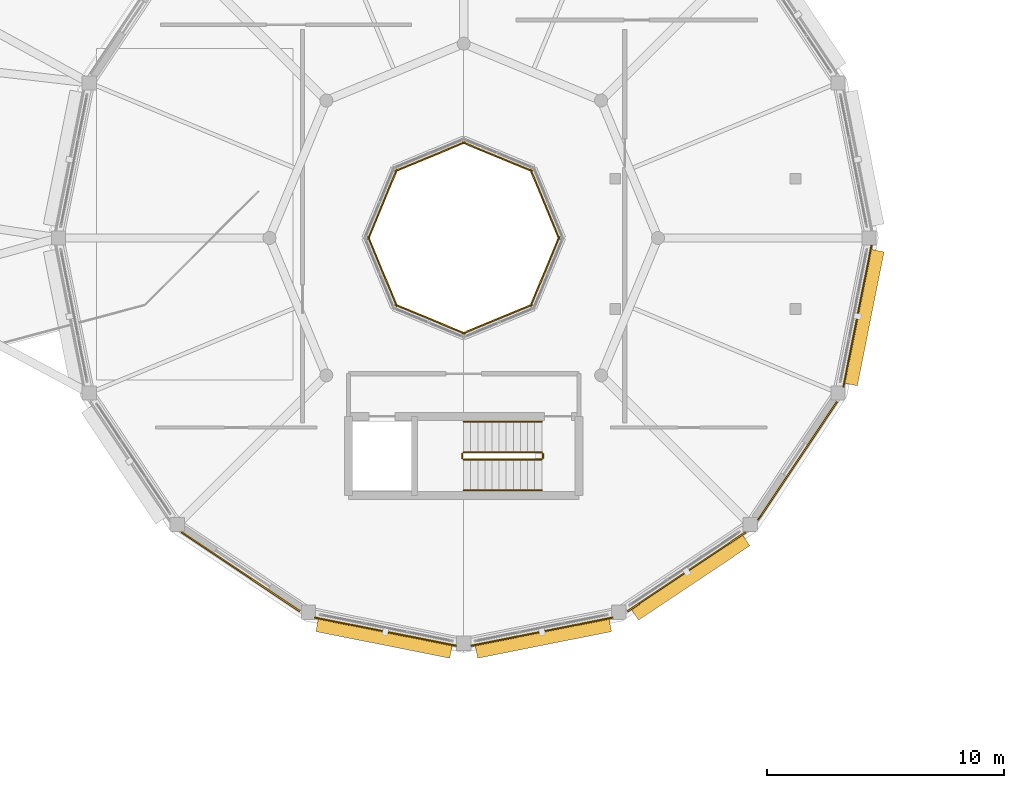
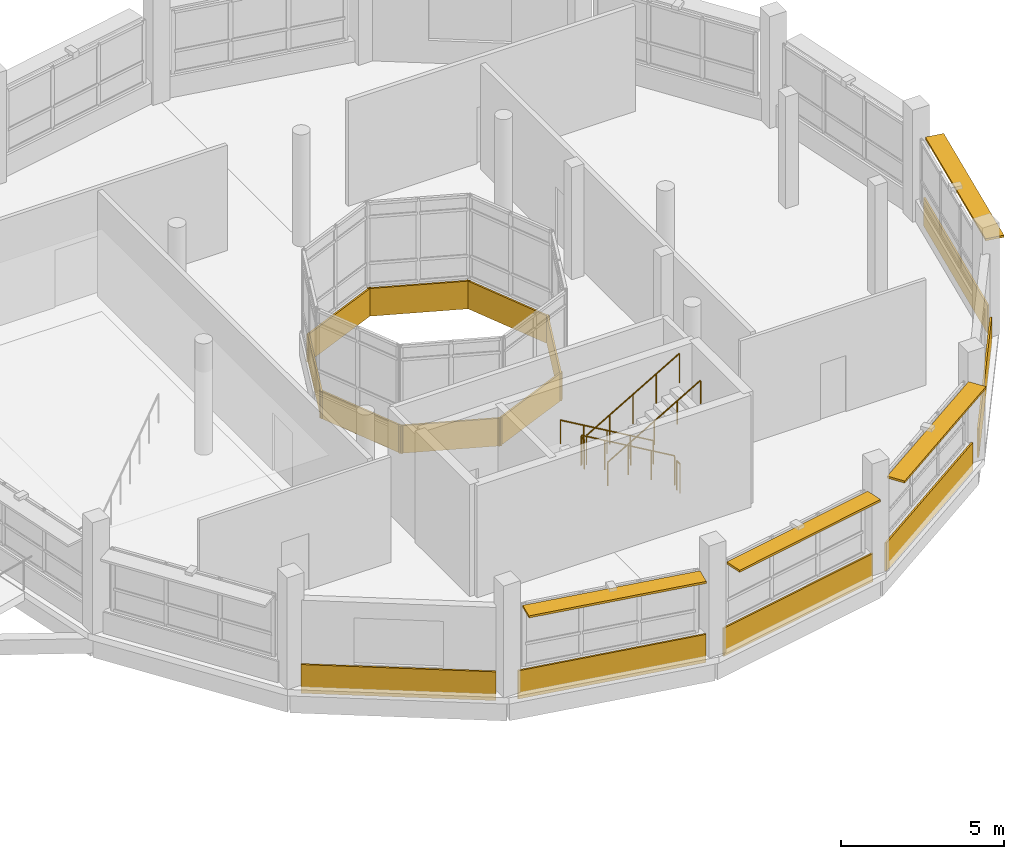
# One storey, part 127 of 128: 14 coverings, 6 railings, 4 shading devices.
"""IFC4 building model written with IfcOpenShell, lengths in metres."""

import ifcopenshell
import ifcopenshell.guid

model = None  # the IFC model being written
_history = None  # IfcOwnerHistory: only IFC2X3 demands one
_inside = {}  # id of a spatial element -> (the spatial element, [elements in it])
_under = {}  # id of a project, library or spatial element -> (it, [spatial elements below it])
_declared = {}  # id of a project -> (the project, [libraries it declares])
_typed = {}  # id of a type object -> (the type object, [elements of that type])
_made_of = {}  # id of a material, layer set ... -> (it, [elements and type objects made of it])


def new_model(schema):
    """Start an empty IFC model of exactly this schema.

    Asked for "IFC4X3", IfcOpenShell would pick the latest addendum, in which some entities
    have other attributes; the version numbers below select the first issue.
    IFC2X3 requires an IfcOwnerHistory on every rooted entity: one is made here for all.
    """
    global model, _history
    if schema == "IFC4X3":
        model = ifcopenshell.file(schema_version=(4, 3, 0, 0))
    else:
        model = ifcopenshell.file(schema=schema)
    _inside.clear()
    _under.clear()
    _declared.clear()
    _typed.clear()
    _made_of.clear()
    _history = None
    if model.schema == "IFC2X3":
        org = make("IfcOrganization", Name="unknown")
        user = make(
            "IfcPersonAndOrganization",
            ThePerson=make("IfcPerson", FamilyName="unknown"),
            TheOrganization=org,
        )
        app = make(
            "IfcApplication",
            ApplicationDeveloper=org,
            Version="unknown",
            ApplicationFullName="unknown",
            ApplicationIdentifier="unknown",
        )
        _history = make(
            "IfcOwnerHistory",
            OwningUser=user,
            OwningApplication=app,
            ChangeAction="ADDED",
            CreationDate=0,
        )
    return model


def make(cls, **values):
    """One entity of the class cls with the attributes given. An attribute that is None is left unset."""
    return model.create_entity(
        cls, **{name: value for name, value in values.items() if value is not None}
    )


def rooted(cls, **values):
    """An entity with a GlobalId (a new one), such as an element, a storey or a relation."""
    return make(cls, GlobalId=ifcopenshell.guid.new(), OwnerHistory=_history, **values)


def si_unit(unit_type, name, prefix=None):
    """IfcSIUnit, for example si_unit("LENGTHUNIT", "METRE", prefix="MILLI")."""
    return make("IfcSIUnit", UnitType=unit_type, Prefix=prefix, Name=name)


def assignment(units):
    """IfcUnitAssignment: the units of a project."""
    return None if units is None else make("IfcUnitAssignment", Units=units)


def point(xyz):
    """IfcCartesianPoint."""
    return None if xyz is None else make("IfcCartesianPoint", Coordinates=xyz)


def direction(xyz):
    """IfcDirection."""
    return None if xyz is None else make("IfcDirection", DirectionRatios=xyz)


def frame(location, z_axis=None, x_axis=None):
    """IfcAxis2Placement3D, a coordinate frame: its origin and axes. An axis left out is left unset."""
    return make(
        "IfcAxis2Placement3D",
        Location=point(location),
        Axis=direction(z_axis),
        RefDirection=direction(x_axis),
    )


def frame_2d(location, x_axis=None):
    """IfcAxis2Placement2D, a coordinate frame in the plane: its origin and x axis."""
    return make(
        "IfcAxis2Placement2D", Location=point(location), RefDirection=direction(x_axis)
    )


def origin():
    """The frame at (0, 0, 0) with its axes left unset."""
    return frame((0.0, 0.0, 0.0))


def origin_2d():
    """The frame at (0, 0) in the plane with its x axis left unset."""
    return frame_2d((0.0, 0.0))


def place(relative_to, where):
    """IfcLocalPlacement: puts the frame where relative to a parent placement (None: the world)."""
    return make(
        "IfcLocalPlacement", PlacementRelTo=relative_to, RelativePlacement=where
    )


def context(
    kind, dimensions, precision=None, world=None, true_north=None, identifier=None
):
    """IfcGeometricRepresentationContext, for example the 3D "Model" context."""
    return make(
        "IfcGeometricRepresentationContext",
        ContextIdentifier=identifier,
        ContextType=kind,
        CoordinateSpaceDimension=dimensions,
        Precision=precision,
        WorldCoordinateSystem=world,
        TrueNorth=true_north,
    )


def subcontext(parent, identifier, kind, view, scale=None):
    """IfcGeometricRepresentationSubContext, for example "Body" below "Model"."""
    return make(
        "IfcGeometricRepresentationSubContext",
        ContextIdentifier=identifier,
        ContextType=kind,
        ParentContext=parent,
        TargetScale=scale,
        TargetView=view,
    )


def project(units=None, contexts=None):
    """IfcProject with its units and contexts."""
    return rooted(
        "IfcProject",
        Name="project",
        RepresentationContexts=contexts,
        UnitsInContext=assignment(units),
    )


def spatial(cls, under=None, at=None, **own):
    """A site, building, storey or space (cls), placed at a placement, below another one or the project."""
    s = rooted(cls, ObjectPlacement=at, **own)
    if under is not None:
        _under.setdefault(under.id(), (under, []))[1].append(s)
    return s


def profile(cls, at=None, kind="AREA", **sizes):
    """A parametric profile (cls). Its sizes go by their IFC names, for example OverallWidth=200.0."""
    return make(cls, ProfileType=kind, Position=at, **sizes)


def rectangle(**sizes):
    """IfcRectangleProfileDef."""
    return profile("IfcRectangleProfileDef", **sizes)


def circle(**sizes):
    """IfcCircleProfileDef."""
    return profile("IfcCircleProfileDef", **sizes)


def extrude(swept, where, along, depth):
    """IfcExtrudedAreaSolid: the profile swept, set in the frame where, extruded along a direction by depth."""
    return make(
        "IfcExtrudedAreaSolid",
        SweptArea=swept,
        Position=where,
        ExtrudedDirection=direction(along),
        Depth=depth,
    )


def shape(context_of_items, identifier, shape_type, items):
    """IfcShapeRepresentation: the items that make up one representation, for example the "Body"."""
    return make(
        "IfcShapeRepresentation",
        ContextOfItems=context_of_items,
        RepresentationIdentifier=identifier,
        RepresentationType=shape_type,
        Items=items,
    )


def material(Name=None, Category=None):
    """IfcMaterial."""
    return make("IfcMaterial", Name=Name, Category=Category)


def layer(
    of_material, thickness, ventilated=None, Name=None, Category=None, Priority=None
):
    """IfcMaterialLayer: one layer of a wall or slab, of a material (None: an air gap)."""
    return make(
        "IfcMaterialLayer",
        Material=of_material,
        LayerThickness=thickness,
        IsVentilated=ventilated,
        Name=Name,
        Category=Category,
        Priority=Priority,
    )


def layer_set(layers, Name=None):
    """IfcMaterialLayerSet."""
    return make("IfcMaterialLayerSet", MaterialLayers=layers, LayerSetName=Name)


def made_of(thing, what):
    """Note that an element or type object is made of a material, layer set ...; save() writes the relation."""
    if what is not None:
        _made_of.setdefault(what.id(), (what, []))[1].append(thing)
    return thing


def type_object(cls, material=None, **own):
    """A type object (cls), such as IfcWallType, which elements share."""
    return made_of(rooted(cls, **own), material)


def element(
    cls,
    number,
    at=None,
    inside=None,
    cuts=None,
    type_object=None,
    material=None,
    context=None,
    identifier="Body",
    shape_type=None,
    held_by="IfcProductDefinitionShape",
    body=None,
    shapes=None,
    **own,
):
    """One element of the class cls, such as IfcWall. Its Tag is "e" and its number.

    at: its placement. inside: the storey or other place that contains it. cuts: it is an
    opening in that element (IfcRelVoidsElement). A single representation is given by context,
    identifier, shape_type and body (its items); several are given by shapes. held_by: the class
    of the entity that holds the representations. save() writes the other relations.
    """
    e = rooted(cls, Tag="e%d" % number, ObjectPlacement=at, **own)
    if body is not None:
        shapes = [shape(context, identifier, shape_type, body)]
    if shapes is not None:
        e.Representation = make(held_by, Representations=shapes)
    if inside is not None:
        _inside.setdefault(inside.id(), (inside, []))[1].append(e)
    if cuts is not None:
        rooted(
            "IfcRelVoidsElement", RelatingBuildingElement=cuts, RelatedOpeningElement=e
        )
    if type_object is not None:
        _typed.setdefault(type_object.id(), (type_object, []))[1].append(e)
    return made_of(e, material)


def aggregate(whole, parts):
    """IfcRelAggregates: a whole, such as a stair, and the parts it consists of."""
    return rooted("IfcRelAggregates", RelatingObject=whole, RelatedObjects=parts)


def save(model, path):
    """Write the relations noted so far, then the file.

    IfcRelAggregates (storeys below a building ...), IfcRelContainedInSpatialStructure (elements
    in a storey), IfcRelDefinesByType, IfcRelAssociatesMaterial and IfcRelDeclares: one each for
    every whole, place, type object, material and project.
    """
    for whole, parts in _under.values():
        aggregate(whole, parts)
    for where, things in _inside.values():
        rooted(
            "IfcRelContainedInSpatialStructure",
            RelatedElements=things,
            RelatingStructure=where,
        )
    for kind, things in _typed.values():
        rooted("IfcRelDefinesByType", RelatedObjects=things, RelatingType=kind)
    for what, things in _made_of.values():
        rooted("IfcRelAssociatesMaterial", RelatedObjects=things, RelatingMaterial=what)
    for by, libraries in _declared.values():
        rooted("IfcRelDeclares", RelatingContext=by, RelatedDefinitions=libraries)
    model.write(path)


model = new_model("IFC4")

# Units and contexts
model_context = context("Model", 3, precision=1e-05, world=origin(), true_north=direction((0.0, 1.0)))
body_context = subcontext(model_context, "Body", "Model", "MODEL_VIEW")
ifc_project = project(units=[si_unit("LENGTHUNIT", "METRE"), si_unit("AREAUNIT", "SQUARE_METRE"), si_unit("VOLUMEUNIT", "CUBIC_METRE"), si_unit("PLANEANGLEUNIT", "RADIAN"), si_unit("MASSUNIT", "GRAM", prefix="KILO")], contexts=[model_context])

# Site, building, storey
site_placement = place(None, origin())
site = spatial("IfcSite", under=ifc_project, at=site_placement, CompositionType="ELEMENT")
building_placement = place(site_placement, origin())
building = spatial("IfcBuilding", under=site, at=building_placement, Name="Vespera Passage Community Centre", CompositionType="ELEMENT")
storey_placement = place(building_placement, frame((0.0, 0.0, 4.5)))
storey = spatial("IfcBuildingStorey", under=building, at=storey_placement, Name="L01", CompositionType="ELEMENT", Elevation=4.5)

# Coverings
ifc_material_1 = material(Name="Precast concrete f'c 40 MPa", Category="concrete")
ifc_layer = layer(ifc_material_1, 0.06005859375)
ifc_layer_set = layer_set([ifc_layer], Name="Precast concrete f'c 40 MPa")
covering_type = type_object("IfcCoveringType", Name="COV-CLAD-60E", PredefinedType="CLADDING", material=ifc_layer_set)
covering_1_placement = place(storey_placement, frame((134.08251953125, 9.246826171875, -0.260009765625), z_axis=(0.0, 0.0, 1.0), x_axis=(-0.831467707354, 0.555573083966, 0.0)))
element("IfcCovering", 1, at=covering_1_placement, inside=storey, type_object=covering_type, Name="V3 L01 White Sill Band 11", PredefinedType="CLADDING", context=body_context, shape_type="SweptSolid", body=[
    extrude(rectangle(XDim=6.00048828125, YDim=0.06005859375, at=frame_2d((3.000244140625, 0.0))), origin(), (0.0, 0.0, 1.0), 1.080078125),
])
for number, where, z_axis, x_axis, name in (
    (2, (140.69140625, 7.7880859375, -0.260009765625), (0.0, 0.0, 1.0), (-0.98078300119, 0.195101780047, 0.0), "V3 L01 White Spandrel Band 12"),
    (3, (147.301513671875, 8.980224609375, -0.260009765625), (0.0, 0.0, 1.0), (-0.98078300119, -0.195101780047, 0.0), "V3 L01 White Spandrel Band 13"),
):
    element("IfcCovering", number, at=place(storey_placement, frame(where, z_axis=z_axis, x_axis=x_axis)), inside=storey, type_object=covering_type, Name=name, PredefinedType="CLADDING", context=body_context, shape_type="SweptSolid", body=[
        extrude(rectangle(XDim=6.1103515625, YDim=0.06005859375, at=frame_2d((3.05517578125, 0.0))), origin(), (0.0, 0.0, 1.0), 1.06005859375),
    ])
covering_2_placement = place(storey_placement, frame((152.90673828125, 12.58056640625, -0.260009765625), z_axis=(0.0, 0.0, 1.0), x_axis=(-0.831467707354, -0.555573083966, 0.0)))
element("IfcCovering", 4, at=covering_2_placement, inside=storey, type_object=covering_type, Name="V3 L01 White Spandrel Band 14", PredefinedType="CLADDING", context=body_context, shape_type="SweptSolid", body=[
    extrude(rectangle(XDim=6.00048828125, YDim=0.06005859375, at=frame_2d((3.000244140625, 0.0))), origin(), (0.0, 0.0, 1.0), 1.06005859375),
])
covering_3_placement = place(storey_placement, frame((156.753173828125, 18.08251953125, -0.260009765625), z_axis=(0.0, 0.0, 1.0), x_axis=(-0.555573083966, -0.831467707354, 0.0)))
element("IfcCovering", 5, at=covering_3_placement, inside=storey, type_object=covering_type, Name="V3 L01 White Sill Band 15", PredefinedType="CLADDING", context=body_context, shape_type="SweptSolid", body=[
    extrude(rectangle(XDim=6.00048828125, YDim=0.06005859375, at=frame_2d((3.000244140625, 0.0))), origin(), (0.0, 0.0, 1.0), 1.080078125),
])
covering_4_placement = place(storey_placement, frame((158.2119140625, 24.69140625, -0.260009765625), z_axis=(0.0, 0.0, 1.0), x_axis=(-0.195101780047, -0.98078300119, 0.0)))
element("IfcCovering", 6, at=covering_4_placement, inside=storey, type_object=covering_type, Name="V3 L01 White Spandrel Band 16", PredefinedType="CLADDING", context=body_context, shape_type="SweptSolid", body=[
    extrude(rectangle(XDim=6.1103515625, YDim=0.06005859375, at=frame_2d((3.05517578125, 0.0))), origin(), (0.0, 0.0, 1.0), 1.06005859375),
])
for number, where, z_axis, x_axis, name in (
    (7, (145.036865234375, 24.940673828125, -0.239990234375), (0.0, 0.0, 1.0), (-0.382691013977, 0.923876392068, 0.0), "V3 L01 Inner Court White Band 1"),
    (8, (143.896484375, 27.8125, -0.239990234375), (0.0, 0.0, 1.0), (-0.923876392068, 0.382691013977, 0.0), "V3 L01 Inner Court White Band 2"),
    (9, (141.059326171875, 29.036865234375, -0.239990234375), (0.0, 0.0, 1.0), (-0.923876392068, -0.382691013977, 0.0), "V3 L01 Inner Court White Band 3"),
    (10, (138.1875, 27.896484375, -0.239990234375), (0.0, 0.0, 1.0), (-0.382691013977, -0.923876392068, 0.0), "V3 L01 Inner Court White Band 4"),
    (11, (136.963134765625, 25.059326171875, -0.239990234375), (0.0, 0.0, 1.0), (0.382691013977, -0.923876392068, 0.0), "V3 L01 Inner Court White Band 5"),
    (12, (138.103515625, 22.1875, -0.239990234375), (0.0, 0.0, 1.0), (0.923876392068, -0.382691013977, 0.0), "V3 L01 Inner Court White Band 6"),
    (13, (140.940673828125, 20.963134765625, -0.239990234375), (0.0, 0.0, 1.0), (0.923876392068, 0.382691013977, 0.0), "V3 L01 Inner Court White Band 7"),
    (14, (143.8125, 22.103515625, -0.239990234375), (0.0, 0.0, 1.0), (0.382691013977, 0.923876392068, 0.0), "V3 L01 Inner Court White Band 8"),
):
    element("IfcCovering", number, at=place(storey_placement, frame(where, z_axis=z_axis, x_axis=x_axis)), inside=storey, type_object=covering_type, Name=name, PredefinedType="CLADDING", context=body_context, shape_type="SweptSolid", body=[
        extrude(rectangle(XDim=3.199462890625, YDim=0.06005859375, at=frame_2d((1.599609375, 0.0))), origin(), (0.0, 0.0, 1.0), 1.0400390625),
    ])

# Railings
ifc_material_2 = material(Name="Steel ASTM A500 Grade C", Category="steel")
railing_type_1 = type_object("IfcRailingType", Name="RL-HAND-900I", PredefinedType="HANDRAIL", material=ifc_material_2)
railing_1_placement = place(storey_placement, frame((144.294921875, 17.25, 0.175048828125)))
element("IfcRailing", 15, at=railing_1_placement, inside=storey, type_object=railing_type_1, Name="L01 ST08 stair handrail 1", PredefinedType="HANDRAIL", context=body_context, shape_type="SweptSolid", body=[
    extrude(circle(Radius=0.02392578125, at=origin_2d()), frame((0.0, 0.0, 0.8759765625), z_axis=(-0.863760357493, 0.0, 0.503902812876), x_axis=(0.0, -1.0, 0.0)), (0.0, 0.0, 1.0), 3.8203125),
    extrude(circle(Radius=0.02099609375, at=origin_2d()), origin(), (0.0, 0.0, 1.0), 0.851806640625),
    extrude(circle(Radius=0.02099609375, at=origin_2d()), frame((-0.824951171875, 0.0, 0.481201171875)), (0.0, 0.0, 1.0), 0.851806640625),
    extrude(circle(Radius=0.02099609375, at=origin_2d()), frame((-1.64990234375, 0.0, 0.96240234375)), (0.0, 0.0, 1.0), 0.851806640625),
    extrude(circle(Radius=0.02099609375, at=origin_2d()), frame((-2.474853515625, 0.0, 1.44384765625)), (0.0, 0.0, 1.0), 0.851806640625),
    extrude(circle(Radius=0.02099609375, at=origin_2d()), frame((-3.2998046875, 0.0, 1.925048828125)), (0.0, 0.0, 1.0), 0.851806640625),
])
railing_2_placement = place(storey_placement, frame((140.9951171875, 14.35009765625, 2.27490234375)))
element("IfcRailing", 16, at=railing_2_placement, inside=storey, type_object=railing_type_1, Name="L01 ST08 stair handrail 2", PredefinedType="HANDRAIL", context=body_context, shape_type="SweptSolid", body=[
    extrude(circle(Radius=0.02392578125, at=origin_2d()), frame((0.0, 0.0, 0.8759765625), z_axis=(0.863760357493, 0.0, 0.503902812876), x_axis=(0.0, 1.0, 0.0)), (0.0, 0.0, 1.0), 3.8203125),
    extrude(circle(Radius=0.02099609375, at=origin_2d()), origin(), (0.0, 0.0, 1.0), 0.851806640625),
    extrude(circle(Radius=0.02099609375, at=origin_2d()), frame((0.824951171875, 0.0, 0.481201171875)), (0.0, 0.0, 1.0), 0.851806640625),
    extrude(circle(Radius=0.02099609375, at=origin_2d()), frame((1.64990234375, 0.0, 0.96240234375)), (0.0, 0.0, 1.0), 0.851806640625),
    extrude(circle(Radius=0.02099609375, at=origin_2d()), frame((2.474853515625, 0.0, 1.44384765625)), (0.0, 0.0, 1.0), 0.851806640625),
    extrude(circle(Radius=0.02099609375, at=origin_2d()), frame((3.2998046875, 0.0, 1.925048828125)), (0.0, 0.0, 1.0), 0.851806640625),
])
ifc_material_3 = material(Name="Steel ASTM A500 Grade C", Category="steel")
railing_type_2 = type_object("IfcRailingType", Name="RL-STAIR-1100I", PredefinedType="GUARDRAIL", material=ifc_material_3)
railing_3_placement = place(storey_placement, frame((144.294921875, 15.949951171875, 0.175048828125)))
element("IfcRailing", 17, at=railing_3_placement, inside=storey, type_object=railing_type_2, Name="L01 ST08 stair guard 1", PredefinedType="GUARDRAIL", context=body_context, shape_type="SweptSolid", body=[
    extrude(circle(Radius=0.02392578125, at=origin_2d()), frame((0.0, 0.0, 1.09619140625), z_axis=(-0.863760357493, 0.0, 0.503902812876), x_axis=(0.0, -1.0, 0.0)), (0.0, 0.0, 1.0), 3.8203125),
    extrude(circle(Radius=0.02099609375, at=origin_2d()), origin(), (0.0, 0.0, 1.0), 1.072021484375),
    extrude(circle(Radius=0.02099609375, at=origin_2d()), frame((-0.824951171875, 0.0, 0.481201171875)), (0.0, 0.0, 1.0), 1.072021484375),
    extrude(circle(Radius=0.02099609375, at=origin_2d()), frame((-1.64990234375, 0.0, 0.96240234375)), (0.0, 0.0, 1.0), 1.072021484375),
    extrude(circle(Radius=0.02099609375, at=origin_2d()), frame((-2.474853515625, 0.0, 1.44384765625)), (0.0, 0.0, 1.0), 1.072021484375),
    extrude(circle(Radius=0.02099609375, at=origin_2d()), frame((-3.2998046875, 0.0, 1.925048828125)), (0.0, 0.0, 1.0), 1.072021484375),
])
railing_4_placement = place(storey_placement, frame((140.945068359375, 15.89990234375, 2.10009765625)))
element("IfcRailing", 18, at=railing_4_placement, inside=storey, type_object=railing_type_2, Name="L01 ST08 stair guard 2", PredefinedType="GUARDRAIL", context=body_context, shape_type="SweptSolid", body=[
    extrude(circle(Radius=0.02392578125, at=origin_2d()), frame((0.0, 0.0, 1.09619140625), z_axis=(0.0, -1.0, 0.0), x_axis=(1.0, 0.0, 0.0)), (0.0, 0.0, 1.0), 0.199951171875),
    extrude(circle(Radius=0.02099609375, at=origin_2d()), origin(), (0.0, 0.0, 1.0), 1.072021484375),
    extrude(circle(Radius=0.02099609375, at=origin_2d()), frame((0.0, -0.199951171875, 0.0)), (0.0, 0.0, 1.0), 1.072021484375),
])
railing_5_placement = place(storey_placement, frame((140.9951171875, 15.64990234375, 2.27490234375)))
element("IfcRailing", 19, at=railing_5_placement, inside=storey, type_object=railing_type_2, Name="L01 ST08 stair guard 3", PredefinedType="GUARDRAIL", context=body_context, shape_type="SweptSolid", body=[
    extrude(circle(Radius=0.02392578125, at=origin_2d()), frame((0.0, 0.0, 1.09619140625), z_axis=(0.863760357493, 0.0, 0.503902812876), x_axis=(0.0, 1.0, 0.0)), (0.0, 0.0, 1.0), 3.8203125),
    extrude(circle(Radius=0.02099609375, at=origin_2d()), origin(), (0.0, 0.0, 1.0), 1.072021484375),
    extrude(circle(Radius=0.02099609375, at=origin_2d()), frame((0.824951171875, 0.0, 0.481201171875)), (0.0, 0.0, 1.0), 1.072021484375),
    extrude(circle(Radius=0.02099609375, at=origin_2d()), frame((1.64990234375, 0.0, 0.96240234375)), (0.0, 0.0, 1.0), 1.072021484375),
    extrude(circle(Radius=0.02099609375, at=origin_2d()), frame((2.474853515625, 0.0, 1.44384765625)), (0.0, 0.0, 1.0), 1.072021484375),
    extrude(circle(Radius=0.02099609375, at=origin_2d()), frame((3.2998046875, 0.0, 1.925048828125)), (0.0, 0.0, 1.0), 1.072021484375),
])
railing_6_placement = place(storey_placement, frame((144.344970703125, 15.89990234375, 0.0)))
element("IfcRailing", 20, at=railing_6_placement, inside=storey, type_object=railing_type_2, Name="L01 ST08 stair guard 4", PredefinedType="GUARDRAIL", context=body_context, shape_type="SweptSolid", body=[
    extrude(circle(Radius=0.02392578125, at=origin_2d()), frame((0.0, 0.0, 1.09619140625), z_axis=(0.0, -1.0, 0.0), x_axis=(1.0, 0.0, 0.0)), (0.0, 0.0, 1.0), 0.199951171875),
    extrude(circle(Radius=0.02099609375, at=origin_2d()), origin(), (0.0, 0.0, 1.0), 1.072021484375),
    extrude(circle(Radius=0.02099609375, at=origin_2d()), frame((0.0, -0.199951171875, 0.0)), (0.0, 0.0, 1.0), 1.072021484375),
])

# Shading devices
ifc_material_4 = material(Name="Anodized aluminium 6063-T6", Category="aluminium")
shading_device_type = type_object("IfcShadingDeviceType", Name="SHD-EYEBROW", PredefinedType="JALOUSIE", material=ifc_material_4)
for number, where, z_axis, x_axis, name in (
    (21, (137.64208984375, 8.119384765625, 3.10498046875), (0.0, 0.0, 1.0), (-0.980785280403, 0.195090322016, 0.0), "V3 L01 Solar Eyebrow 12"),
    (22, (144.35791015625, 8.119384765625, 3.10498046875), (0.0, 0.0, 1.0), (-0.980785280403, -0.195090322016, 0.0), "V3 L01 Solar Eyebrow 13"),
):
    element("IfcShadingDevice", number, at=place(storey_placement, frame(where, z_axis=z_axis, x_axis=x_axis)), inside=storey, type_object=shading_device_type, Name=name, PredefinedType="JALOUSIE", context=body_context, shape_type="SweptSolid", body=[
        extrude(rectangle(XDim=5.76025390625, YDim=0.60009765625, at=origin_2d()), origin(), (0.0, 0.0, 1.0), 0.080078125),
    ])
shading_device_1_placement = place(storey_placement, frame((150.56201171875, 10.689208984375, 3.10498046875), z_axis=(0.0, 0.0, 1.0), x_axis=(-0.831479308706, -0.555555721053, 0.0)))
element("IfcShadingDevice", 23, at=shading_device_1_placement, inside=storey, type_object=shading_device_type, Name="V3 L01 Solar Eyebrow 14", PredefinedType="JALOUSIE", context=body_context, shape_type="SweptSolid", body=[
    extrude(rectangle(XDim=5.650390625, YDim=0.60009765625, at=origin_2d()), origin(), (0.0, 0.0, 1.0), 0.080078125),
])
shading_device_2_placement = place(storey_placement, frame((157.880615234375, 21.64208984375, 3.10498046875), z_axis=(0.0, 0.0, 1.0), x_axis=(-0.195090322016, -0.980785280403, 0.0)))
element("IfcShadingDevice", 24, at=shading_device_2_placement, inside=storey, type_object=shading_device_type, Name="V3 L01 Solar Eyebrow 16", PredefinedType="JALOUSIE", context=body_context, shape_type="SweptSolid", body=[
    extrude(rectangle(XDim=5.76025390625, YDim=0.60009765625, at=origin_2d()), origin(), (0.0, 0.0, 1.0), 0.080078125),
])

save(model, "model.ifc")
